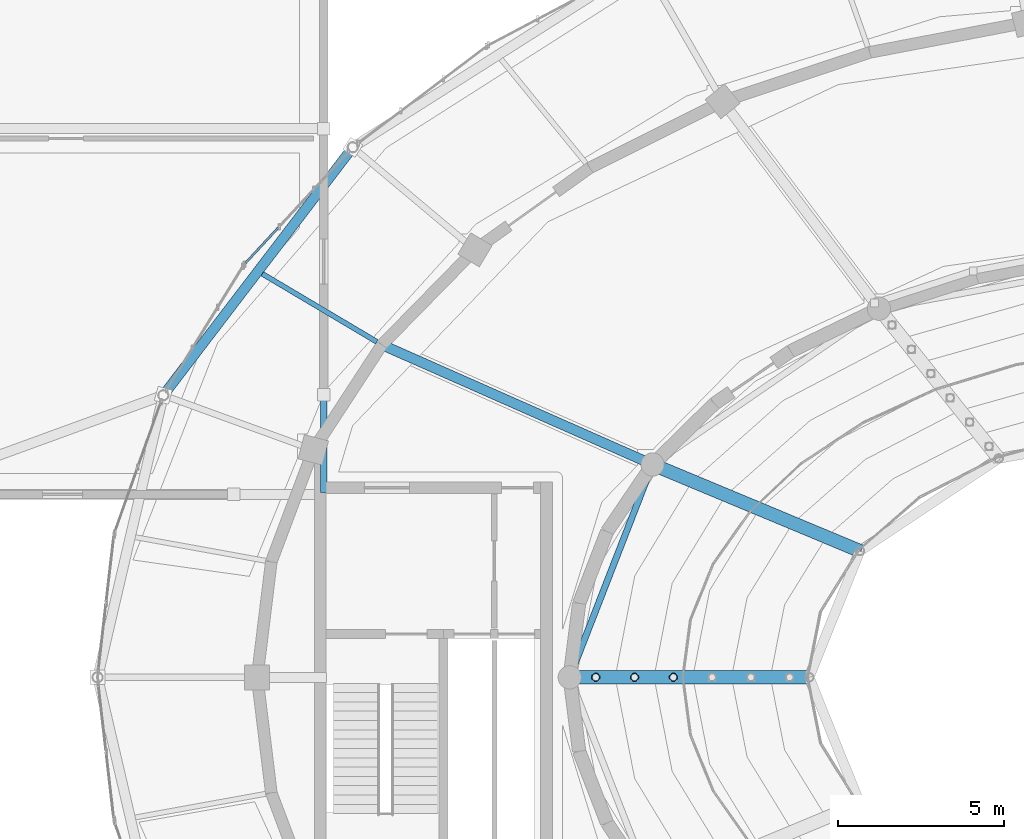
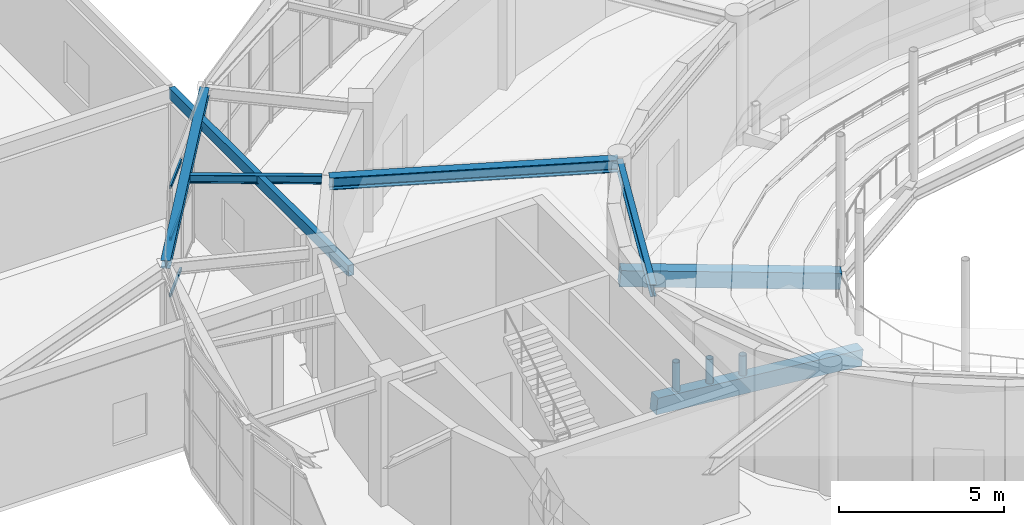
# One storey, part 35 of 108: 7 beams, 6 members, 1 element without a shape of its own.
"""IFC4 building model written with IfcOpenShell, lengths in metres."""

from ifc_helpers import new_model, si_unit, direction, frame, origin, origin_2d, place, context, subcontext, project, spatial, rectangle, hollow_rectangle, hollow_circle, i_section, extrude, material, material_profile, profile_set, type_object, element, aggregate, save


model = new_model("IFC4")

# Units and contexts
model_context = context("Model", 3, precision=1e-05, world=origin(), true_north=direction((0.0, 1.0)))
body_context = subcontext(model_context, "Body", "Model", "MODEL_VIEW")
ifc_project = project(units=[si_unit("LENGTHUNIT", "METRE"), si_unit("AREAUNIT", "SQUARE_METRE"), si_unit("VOLUMEUNIT", "CUBIC_METRE"), si_unit("PLANEANGLEUNIT", "RADIAN"), si_unit("MASSUNIT", "GRAM", prefix="KILO")], contexts=[model_context])

# Site, building, storey
site_placement = place(None, origin())
site = spatial("IfcSite", under=ifc_project, at=site_placement, CompositionType="ELEMENT")
building_placement = place(site_placement, origin())
building = spatial("IfcBuilding", under=site, at=building_placement, Name="Tarnveldt Headland Concert Hall", CompositionType="ELEMENT")
storey_placement = place(building_placement, frame((0.0, 0.0, 9.60009765625)))
storey = spatial("IfcBuildingStorey", under=building, at=storey_placement, Name="L02", CompositionType="ELEMENT", Elevation=9.60009765625)

# Beams
ifc_material_1 = material(Name="Concrete C40/50", Category="concrete")
ifc_material_profile_1 = material_profile(ifc_material_1, rectangle(XDim=0.39990234375, YDim=0.60009765625, at=origin_2d()), Name="RAKER RC 400x600", Category="concrete")
ifc_profile_set_1 = profile_set([ifc_material_profile_1], Name="Concrete C40/50")
beam_type_1 = type_object("IfcBeamType", Name="RK-400x600", PredefinedType="BEAM", material=ifc_profile_set_1)
beam_1_placement = place(storey_placement, frame((67.391845703125, 60.89990234375, 0.18994140625), z_axis=(0.917996568465, -0.382762155739, -0.103804780334), x_axis=(0.384841186622, 0.922982806492, 0.0)))
element("IfcBeam", 1, at=beam_1_placement, inside=storey, type_object=beam_type_1, Name="Stand RAKER beam L02-6", PredefinedType="BEAM", context=body_context, shape_type="SweptSolid", body=[
    extrude(rectangle(XDim=0.39990234375, YDim=0.60009765625, at=origin_2d()), origin(), (0.0, 0.0, 1.0), 6.792236328125),
])
beam_2_placement = place(storey_placement, frame((64.89990234375, 54.5, 0.18994140625), z_axis=(0.995239570386, 0.0, -0.097458696571), x_axis=(0.0, 1.0, 0.0)))
element("IfcBeam", 2, at=beam_2_placement, inside=storey, type_object=beam_type_1, Name="Stand RAKER beam L02-7", PredefinedType="BEAM", context=body_context, shape_type="SweptSolid", body=[
    extrude(rectangle(XDim=0.39990234375, YDim=0.60009765625, at=origin_2d()), origin(), (0.0, 0.0, 1.0), 7.234619140625),
])
ifc_material_2 = material(Name="Steel S355", Category="steel")
ifc_material_profile_2 = material_profile(ifc_material_2, i_section(OverallWidth=0.300048828125, OverallDepth=0.2900390625, WebThickness=0.008544921875, FlangeThickness=0.013916015625, FilletRadius=0.027099609375, at=origin_2d()), Name="HEA300", Category="steel")
ifc_profile_set_2 = profile_set([ifc_material_profile_2], Name="Steel S355")
beam_type_2 = type_object("IfcBeamType", Name="SB-HEA300", PredefinedType="SPANDREL", material=ifc_profile_set_2)
beam_3_placement = place(storey_placement, frame((58.33740234375, 70.393310546875, 4.4248046875), z_axis=(-0.606896353007, -0.794780986629, 0.0), x_axis=(0.794780986629, -0.606896353007, 0.0)))
element("IfcBeam", 3, at=beam_3_placement, inside=storey, type_object=beam_type_2, Name="Framing beam L02-1016", PredefinedType="SPANDREL", context=body_context, shape_type="SweptSolid", body=[
    extrude(i_section(OverallWidth=0.300048828125, OverallDepth=0.2900390625, WebThickness=0.008544921875, FlangeThickness=0.013916015625, FilletRadius=0.027099609375, at=origin_2d()), origin(), (0.0, 0.0, 1.0), 9.264892578125),
])
ifc_material_profile_3 = material_profile(ifc_material_2, i_section(OverallWidth=0.300048828125, OverallDepth=0.449951171875, WebThickness=0.013916015625, FlangeThickness=0.02587890625, FilletRadius=0.027099609375, at=origin_2d()), Name="HEB450", Category="steel")
ifc_profile_set_3 = profile_set([ifc_material_profile_3], Name="Steel S355")
beam_type_3 = type_object("IfcBeamType", Name="SB-HEB450", PredefinedType="BEAM", material=ifc_profile_set_3)
beam_4_placement = place(storey_placement, frame((67.355224609375, 60.916259765625, 4.324951171875), z_axis=(-0.91456211397, 0.404445471839, 0.0), x_axis=(-0.404445471839, -0.91456211397, 0.0)))
element("IfcBeam", 4, at=beam_4_placement, inside=storey, type_object=beam_type_3, Name="Framing beam L02-1059", PredefinedType="BEAM", context=body_context, shape_type="SweptSolid", body=[
    extrude(i_section(OverallWidth=0.300048828125, OverallDepth=0.449951171875, WebThickness=0.013916015625, FlangeThickness=0.02587890625, FilletRadius=0.027099609375, at=origin_2d()), origin(), (0.0, 0.0, 1.0), 8.821044921875),
])
ifc_material_profile_4 = material_profile(ifc_material_2, i_section(OverallWidth=0.14990234375, OverallDepth=0.300048828125, WebThickness=0.007080078125, FlangeThickness=0.0107421875, FilletRadius=0.014892578125, at=origin_2d()), Name="IPE300", Category="steel")
ifc_profile_set_4 = profile_set([ifc_material_profile_4], Name="Steel S355")
beam_type_4 = type_object("IfcBeamType", Name="SB-IPE300", PredefinedType="JOIST", material=ifc_profile_set_4)
beam_5_placement = place(storey_placement, frame((59.100830078125, 64.58935546875, 4.419921875), z_axis=(-0.859902377377, 0.510458520726, 0.0), x_axis=(-0.510458520726, -0.859902377377, 0.0)))
element("IfcBeam", 5, at=beam_5_placement, inside=storey, type_object=beam_type_4, Name="Framing beam L02-1018", PredefinedType="JOIST", context=body_context, shape_type="SweptSolid", body=[
    extrude(i_section(OverallWidth=0.14990234375, OverallDepth=0.300048828125, WebThickness=0.007080078125, FlangeThickness=0.0107421875, FilletRadius=0.014892578125, at=origin_2d()), origin(), (0.0, 0.0, 1.0), 4.007568359375),
])
ifc_material_profile_5 = material_profile(ifc_material_2, i_section(OverallWidth=0.18994140625, OverallDepth=0.449951171875, WebThickness=0.009521484375, FlangeThickness=0.0146484375, FilletRadius=0.02099609375, at=origin_2d()), Name="IPE450", Category="steel")
ifc_profile_set_5 = profile_set([ifc_material_profile_5], Name="Steel S355")
beam_type_5 = type_object("IfcBeamType", Name="SB-IPE450", PredefinedType="BEAM", material=ifc_profile_set_5)
beam_6_placement = place(storey_placement, frame((67.3701171875, 60.843994140625, 4.324951171875), z_axis=(-0.362816377746, -0.931860652694, 0.0), x_axis=(0.931860652694, -0.362816377746, 0.0)))
element("IfcBeam", 6, at=beam_6_placement, inside=storey, type_object=beam_type_5, Name="Framing beam L02-1060", PredefinedType="BEAM", context=body_context, shape_type="SweptSolid", body=[
    extrude(i_section(OverallWidth=0.18994140625, OverallDepth=0.449951171875, WebThickness=0.009521484375, FlangeThickness=0.0146484375, FilletRadius=0.02099609375, at=origin_2d()), origin(), (0.0, 0.0, 1.0), 6.747802734375),
])
ifc_material_profile_6 = material_profile(ifc_material_2, hollow_rectangle(XDim=0.199951171875, YDim=0.39990234375, WallThickness=0.01611328125, at=origin_2d()), Name="RHS 400x200x16", Category="steel")
ifc_profile_set_6 = profile_set([ifc_material_profile_6], Name="Steel S355")
beam_type_6 = type_object("IfcBeamType", Name="SB-RHS400", PredefinedType="BEAM", material=ifc_profile_set_6)
beam_7_placement = place(storey_placement, frame((57.5, 60.06005859375, 4.33984375), z_axis=(0.0, 1.0, 0.0), x_axis=(-1.0, 0.0, 0.0)))
element("IfcBeam", 7, at=beam_7_placement, inside=storey, type_object=beam_type_6, Name="Framing beam L02-1225", PredefinedType="BEAM", context=body_context, shape_type="SweptSolid", body=[
    extrude(hollow_rectangle(XDim=0.199951171875, YDim=0.39990234375, WallThickness=0.01611328125, at=origin_2d()), origin(), (0.0, 0.0, 1.0), 10.8798828125),
])

# Curtain wall, members
ifc_material_3 = material(Name="Marine-anodised aluminium EN AW-6063-T6", Category="aluminium")
curtain_wall_type = type_object("IfcCurtainWallType", Name="CW-F3", PredefinedType="NOTDEFINED", material=ifc_material_3)
curtain_wall_placement = place(storey_placement, origin())
curtain_wall = element("IfcCurtainWall", 8, at=curtain_wall_placement, inside=storey, type_object=curtain_wall_type, Name="Curtain wall CW-L02-074", PredefinedType="NOTDEFINED")
ifc_material_profile_7 = material_profile(ifc_material_3, hollow_rectangle(XDim=0.06494140625, YDim=0.139892578125, WallThickness=0.00390625, at=origin_2d()), Name="ALU TRANSOM 65x140x4", Category="aluminium")
ifc_profile_set_7 = profile_set([ifc_material_profile_7], Name="Marine-anodised aluminium EN AW-6063-T6")
member_type_1 = type_object("IfcMemberType", Name="TR-140", PredefinedType="MEMBER", material=ifc_profile_set_7)
member_1_placement = place(storey_placement, frame((56.129638671875, 68.017822265625, 0.0498046875), z_axis=(-0.679441860222, -0.733729349678, 0.0), x_axis=(0.733729349678, -0.679441860222, 0.0)))
member_1 = element("IfcMember", 9, at=member_1_placement, type_object=member_type_1, Name="Transom CW-L02-074-3-1", PredefinedType="MEMBER", context=body_context, shape_type="SweptSolid", body=[
    extrude(hollow_rectangle(XDim=0.06494140625, YDim=0.139892578125, WallThickness=0.00390625, at=origin_2d()), origin(), (0.0, 0.0, 1.0), 1.439208984375),
])
member_2_placement = place(storey_placement, frame((56.129638671875, 68.017822265625, 2.135986328125), z_axis=(-0.679441860222, -0.733729349678, 0.0), x_axis=(0.733729349678, -0.679441860222, 0.0)))
member_2 = element("IfcMember", 10, at=member_2_placement, type_object=member_type_1, Name="Transom CW-L02-074-3-2", PredefinedType="MEMBER", context=body_context, shape_type="SweptSolid", body=[
    extrude(hollow_rectangle(XDim=0.06494140625, YDim=0.139892578125, WallThickness=0.00390625, at=origin_2d()), origin(), (0.0, 0.0, 1.0), 1.439208984375),
])
member_3_placement = place(storey_placement, frame((56.129638671875, 68.017822265625, 4.057861328125), z_axis=(-0.679441860222, -0.733729349678, 0.0), x_axis=(0.733729349678, -0.679441860222, 0.0)))
member_3 = element("IfcMember", 11, at=member_3_placement, type_object=member_type_1, Name="Transom CW-L02-074-3-3", PredefinedType="MEMBER", context=body_context, shape_type="SweptSolid", body=[
    extrude(hollow_rectangle(XDim=0.06494140625, YDim=0.139892578125, WallThickness=0.00390625, at=origin_2d()), origin(), (0.0, 0.0, 1.0), 1.439208984375),
])
aggregate(curtain_wall, [member_1, member_2, member_3])

# Members
ifc_material_profile_8 = material_profile(ifc_material_2, hollow_circle(Radius=0.122314453125, WallThickness=0.01611328125, at=origin_2d()), Name="CHS 244.5x16", Category="steel")
ifc_profile_set_8 = profile_set([ifc_material_profile_8], Name="Steel S355")
member_type_2 = type_object("IfcMemberType", Name="TR-CHORD244", PredefinedType="POST", material=ifc_profile_set_8)
member_4_placement = place(storey_placement, frame((68.0166015625, 54.5, -0.115234375), z_axis=(0.0, 0.0, 1.0), x_axis=(1.0, 0.0, 0.0)))
element("IfcMember", 12, at=member_4_placement, inside=storey, type_object=member_type_2, Name="Vineyard tier raker stool post L02-4-7", PredefinedType="POST", context=body_context, shape_type="SweptSolid", body=[
    extrude(hollow_circle(Radius=0.122314453125, WallThickness=0.01611328125, at=origin_2d()), origin(), (0.0, 0.0, 1.0), 1.045166015625),
])
member_5_placement = place(storey_placement, frame((66.85009765625, 54.5, -0.0009765625), z_axis=(0.0, 0.0, 1.0), x_axis=(1.0, 0.0, 0.0)))
element("IfcMember", 13, at=member_5_placement, inside=storey, type_object=member_type_2, Name="Vineyard tier raker stool post L02-5-7", PredefinedType="POST", context=body_context, shape_type="SweptSolid", body=[
    extrude(hollow_circle(Radius=0.122314453125, WallThickness=0.01611328125, at=origin_2d()), origin(), (0.0, 0.0, 1.0), 1.2109375),
])
member_6_placement = place(storey_placement, frame((65.683349609375, 54.5, 0.11328125), z_axis=(0.0, 0.0, 1.0), x_axis=(1.0, 0.0, 0.0)))
element("IfcMember", 14, at=member_6_placement, inside=storey, type_object=member_type_2, Name="Vineyard tier raker stool post L02-6-7", PredefinedType="POST", context=body_context, shape_type="SweptSolid", body=[
    extrude(hollow_circle(Radius=0.122314453125, WallThickness=0.01611328125, at=origin_2d()), origin(), (0.0, 0.0, 1.0), 1.376708984375),
])

save(model, "model.ifc")
